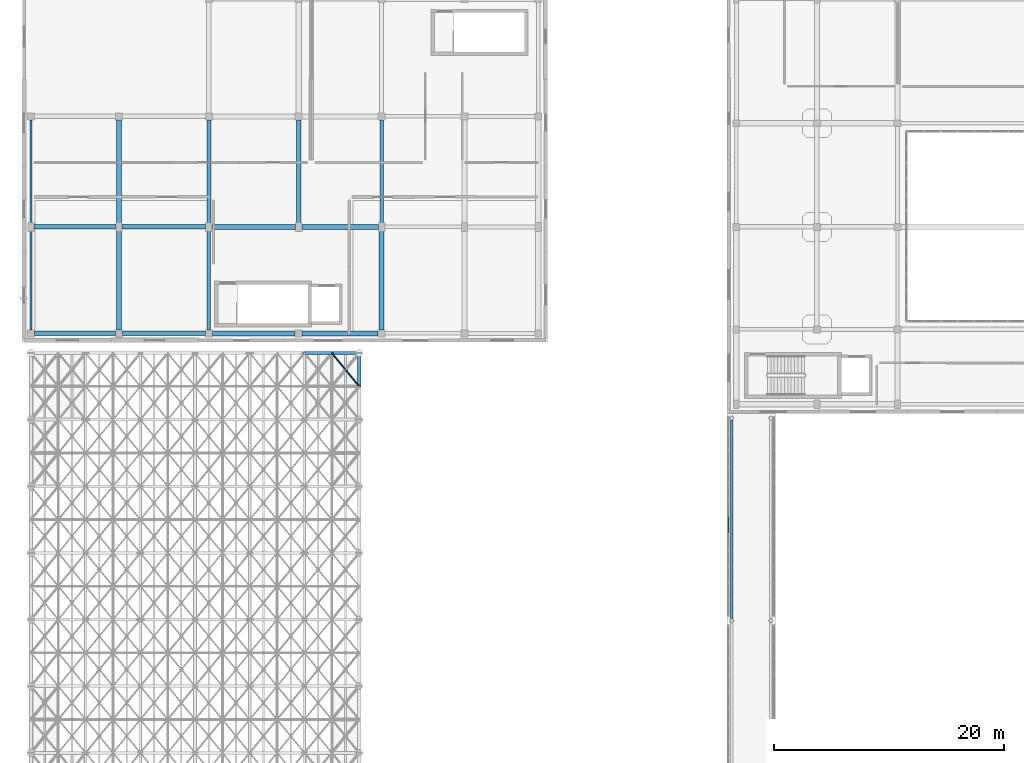
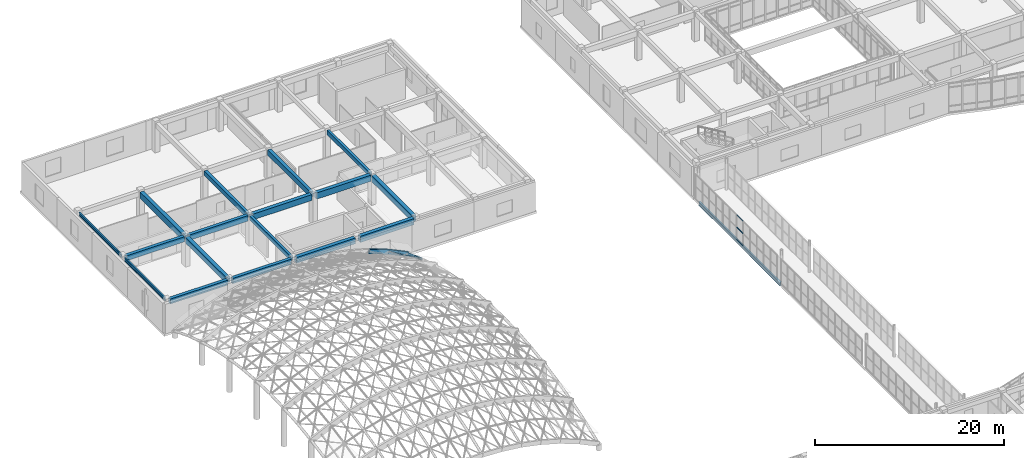
# One storey, part 74 of 146: 20 beams, 6 members, 1 element without a shape of its own.
"""IFC4 building model written with IfcOpenShell, lengths in metres."""

from ifc_helpers import new_model, si_unit, direction, frame, origin, origin_2d, place, context, subcontext, project, spatial, rectangle, hollow_rectangle, hollow_circle, i_section, extrude, material, layer, layer_set, material_profile, profile_set, type_object, element, aggregate, save


model = new_model("IFC4")

# Units and contexts
model_context = context("Model", 3, precision=1e-05, world=origin(), true_north=direction((0.0, 1.0)))
body_context = subcontext(model_context, "Body", "Model", "MODEL_VIEW")
ifc_project = project(units=[si_unit("LENGTHUNIT", "METRE"), si_unit("AREAUNIT", "SQUARE_METRE"), si_unit("VOLUMEUNIT", "CUBIC_METRE"), si_unit("PLANEANGLEUNIT", "RADIAN"), si_unit("MASSUNIT", "GRAM", prefix="KILO")], contexts=[model_context])

# Site, building, storey
site_placement = place(None, origin())
site = spatial("IfcSite", under=ifc_project, at=site_placement, CompositionType="ELEMENT")
building_placement = place(site_placement, origin())
building = spatial("IfcBuilding", under=site, at=building_placement, Name="Valcora Specialist Clinic", CompositionType="ELEMENT")
storey_placement = place(building_placement, frame((0.0, 0.0, 9.52001953125)))
storey = spatial("IfcBuildingStorey", under=building, at=storey_placement, Name="L02", CompositionType="ELEMENT", Elevation=9.52001953125)

# Beams
ifc_material_1 = material(Name="Glulam Conifer Class 24F", Category="wood")
ifc_material_profile_1 = material_profile(ifc_material_1, rectangle(XDim=0.219970703125, YDim=0.56005859375, at=origin_2d()), Name="GL-ARC-220X560")
ifc_profile_set_1 = profile_set([ifc_material_profile_1], Name="Glulam Conifer Class 24F")
beam_type_1 = type_object("IfcBeamType", Name="TY-AR-GL560", PredefinedType="JOIST", material=ifc_profile_set_1)
beam_1_placement = place(storey_placement, frame((24.5, 79.25, 2.76806640625), z_axis=(0.935695204238, 0.0, -0.352809417059), x_axis=(0.0, 1.0, 0.0)))
element("IfcBeam", 1, at=beam_1_placement, inside=storey, type_object=beam_type_1, Name="Gridshell glulam arch chord BM-GSA-095", PredefinedType="JOIST", context=body_context, shape_type="SweptSolid", body=[
    extrude(rectangle(XDim=0.219970703125, YDim=0.56005859375, at=origin_2d()), origin(), (0.0, 0.0, 1.0), 2.538330078125),
])
beam_2_placement = place(storey_placement, frame((26.875, 79.25, 1.87255859375), z_axis=(0.902189145818, 0.0, -0.431340637048), x_axis=(0.0, 1.0, 0.0)))
element("IfcBeam", 2, at=beam_2_placement, inside=storey, type_object=beam_type_1, Name="Gridshell glulam arch chord BM-GSA-096", PredefinedType="JOIST", context=body_context, shape_type="SweptSolid", body=[
    extrude(rectangle(XDim=0.219970703125, YDim=0.56005859375, at=origin_2d()), origin(), (0.0, 0.0, 1.0), 2.632568359375),
])
ifc_material_2 = material(Name="Steel ASTM A992 Grade 50", Category="steel")
ifc_material_profile_2 = material_profile(ifc_material_2, i_section(OverallWidth=0.18994140625, OverallDepth=0.45703125, WebThickness=0.009033203125, FlangeThickness=0.014892578125, at=origin_2d()), Name="ST-IR-460X190")
ifc_profile_set_2 = profile_set([ifc_material_profile_2], Name="Steel ASTM A992 Grade 50")
beam_type_2 = type_object("IfcBeamType", Name="TY-BG-IR460", PredefinedType="HOLLOWCORE", material=ifc_profile_set_2)
beam_3_placement = place(storey_placement, frame((61.60009765625, 56.159912109375, -0.482421875), z_axis=(0.0, 1.0, 0.0), x_axis=(-1.0, 0.0, 0.0)))
element("IfcBeam", 3, at=beam_3_placement, inside=storey, type_object=beam_type_2, Name="Bridge girder BM-L02-1626", PredefinedType="HOLLOWCORE", context=body_context, shape_type="SweptSolid", body=[
    extrude(i_section(OverallWidth=0.18994140625, OverallDepth=0.45703125, WebThickness=0.009033203125, FlangeThickness=0.014892578125, at=origin_2d()), origin(), (0.0, 0.0, 1.0), 17.280029296875),
])
ifc_material_profile_3 = material_profile(ifc_material_2, i_section(OverallWidth=0.177978515625, OverallDepth=0.406005859375, WebThickness=0.008056640625, FlangeThickness=0.012939453125, at=origin_2d()), Name="ST-IR-410X180")
ifc_profile_set_3 = profile_set([ifc_material_profile_3], Name="Steel ASTM A992 Grade 50")
beam_type_3 = type_object("IfcBeamType", Name="TY-BM-IR410", PredefinedType="SPANDREL", material=ifc_profile_set_3)
beam_4_placement = place(storey_placement, frame((0.75, 81.25, 3.635986328125), z_axis=(0.0, 1.0, 0.0), x_axis=(-1.0, 0.0, 0.0)))
element("IfcBeam", 4, at=beam_4_placement, inside=storey, type_object=beam_type_3, Name="Beam BM-L02-0355", PredefinedType="SPANDREL", context=body_context, shape_type="SweptSolid", body=[
    extrude(i_section(OverallWidth=0.177978515625, OverallDepth=0.406005859375, WebThickness=0.008056640625, FlangeThickness=0.012939453125, at=origin_2d()), origin(), (0.0, 0.0, 1.0), 8.675048828125),
])
beam_5_placement = place(storey_placement, frame((0.75, 90.47509765625, 3.635986328125), z_axis=(0.0, 1.0, 0.0), x_axis=(-1.0, 0.0, 0.0)))
element("IfcBeam", 5, at=beam_5_placement, inside=storey, type_object=beam_type_3, Name="Beam BM-L02-0356", PredefinedType="SPANDREL", context=body_context, shape_type="SweptSolid", body=[
    extrude(i_section(OverallWidth=0.177978515625, OverallDepth=0.406005859375, WebThickness=0.008056640625, FlangeThickness=0.012939453125, at=origin_2d()), origin(), (0.0, 0.0, 1.0), 9.02490234375),
])
ifc_material_3 = material(Name="Concrete C40/50", Category="concrete")
ifc_material_profile_4 = material_profile(ifc_material_3, rectangle(XDim=0.300048828125, YDim=0.550048828125, at=origin_2d()), Name="RC-BM-300X550")
ifc_profile_set_4 = profile_set([ifc_material_profile_4], Name="Concrete C40/50")
beam_type_4 = type_object("IfcBeamType", Name="TY-BM-RC300X550", PredefinedType="BEAM", material=ifc_profile_set_4)
beam_6_placement = place(storey_placement, frame((16.199951171875, 81.25, 3.56787109375), z_axis=(0.0, 1.0, 0.0), x_axis=(-1.0, 0.0, 0.0)))
element("IfcBeam", 6, at=beam_6_placement, inside=storey, type_object=beam_type_4, Name="Beam BM-L02-0359", PredefinedType="BEAM", context=body_context, shape_type="SweptSolid", body=[
    extrude(rectangle(XDim=0.300048828125, YDim=0.550048828125, at=origin_2d()), origin(), (0.0, 0.0, 1.0), 8.675048828125),
])
beam_7_placement = place(storey_placement, frame((31.199951171875, 90.47509765625, 3.56787109375), z_axis=(0.0, 1.0, 0.0), x_axis=(-1.0, 0.0, 0.0)))
element("IfcBeam", 7, at=beam_7_placement, inside=storey, type_object=beam_type_4, Name="Beam BM-L02-0365", PredefinedType="BEAM", context=body_context, shape_type="SweptSolid", body=[
    extrude(rectangle(XDim=0.300048828125, YDim=0.550048828125, at=origin_2d()), origin(), (0.0, 0.0, 1.0), 9.02490234375),
])
ifc_material_profile_5 = material_profile(ifc_material_3, rectangle(XDim=0.35009765625, YDim=0.60009765625, at=origin_2d()), Name="RC-BM-350X600")
ifc_profile_set_5 = profile_set([ifc_material_profile_5], Name="Concrete C40/50")
beam_type_5 = type_object("IfcBeamType", Name="TY-BM-RC350X600", PredefinedType="BEAM", material=ifc_profile_set_5)
beam_8_placement = place(storey_placement, frame((16.199951171875, 90.47509765625, 3.54296875), z_axis=(0.0, 1.0, 0.0), x_axis=(-1.0, 0.0, 0.0)))
element("IfcBeam", 8, at=beam_8_placement, inside=storey, type_object=beam_type_5, Name="Beam BM-L02-0360", PredefinedType="BEAM", context=body_context, shape_type="SweptSolid", body=[
    extrude(rectangle(XDim=0.35009765625, YDim=0.60009765625, at=origin_2d()), origin(), (0.0, 0.0, 1.0), 9.02490234375),
])
ifc_material_profile_6 = material_profile(ifc_material_3, rectangle(XDim=0.39990234375, YDim=0.64990234375, at=origin_2d()), Name="RC-BM-400X650")
ifc_profile_set_6 = profile_set([ifc_material_profile_6], Name="Concrete C40/50")
beam_type_6 = type_object("IfcBeamType", Name="TY-BM-RC400X650", PredefinedType="BEAM", material=ifc_profile_set_6)
beam_9_placement = place(storey_placement, frame((1.050048828125, 80.949951171875, 3.51806640625), z_axis=(1.0, 0.0, 0.0), x_axis=(0.0, 1.0, 0.0)))
element("IfcBeam", 9, at=beam_9_placement, inside=storey, type_object=beam_type_6, Name="Beam BM-L02-0333", PredefinedType="BEAM", context=body_context, shape_type="SweptSolid", body=[
    extrude(rectangle(XDim=0.39990234375, YDim=0.64990234375, at=origin_2d()), origin(), (0.0, 0.0, 1.0), 7.050048828125),
])
beam_10_placement = place(storey_placement, frame((1.02490234375, 90.199951171875, 3.51806640625), z_axis=(1.0, 0.0, 0.0), x_axis=(0.0, 1.0, 0.0)))
element("IfcBeam", 10, at=beam_10_placement, inside=storey, type_object=beam_type_6, Name="Beam BM-L02-0339", PredefinedType="BEAM", context=body_context, shape_type="SweptSolid", body=[
    extrude(rectangle(XDim=0.39990234375, YDim=0.64990234375, at=origin_2d()), origin(), (0.0, 0.0, 1.0), 7.10009765625),
])
ifc_material_profile_7 = material_profile(ifc_material_3, rectangle(XDim=0.39990234375, YDim=0.699951171875, at=origin_2d()), Name="RC-BM-400X700")
ifc_profile_set_7 = profile_set([ifc_material_profile_7], Name="Concrete C40/50")
beam_type_7 = type_object("IfcBeamType", Name="TY-BM-RC400X700", PredefinedType="BEAM", material=ifc_profile_set_7)
beam_11_placement = place(storey_placement, frame((8.699951171875, 80.949951171875, 3.492919921875), z_axis=(1.0, 0.0, 0.0), x_axis=(0.0, 1.0, 0.0)))
element("IfcBeam", 11, at=beam_11_placement, inside=storey, type_object=beam_type_7, Name="Beam BM-L02-0334", PredefinedType="BEAM", context=body_context, shape_type="SweptSolid", body=[
    extrude(rectangle(XDim=0.39990234375, YDim=0.699951171875, at=origin_2d()), origin(), (0.0, 0.0, 1.0), 7.199951171875),
])
beam_12_placement = place(storey_placement, frame((8.675048828125, 90.199951171875, 3.492919921875), z_axis=(1.0, 0.0, 0.0), x_axis=(0.0, 1.0, 0.0)))
element("IfcBeam", 12, at=beam_12_placement, inside=storey, type_object=beam_type_7, Name="Beam BM-L02-0340", PredefinedType="BEAM", context=body_context, shape_type="SweptSolid", body=[
    extrude(rectangle(XDim=0.39990234375, YDim=0.699951171875, at=origin_2d()), origin(), (0.0, 0.0, 1.0), 7.25),
])
beam_13_placement = place(storey_placement, frame((24.0, 90.47509765625, 3.492919921875), z_axis=(0.0, 1.0, 0.0), x_axis=(-1.0, 0.0, 0.0)))
element("IfcBeam", 13, at=beam_13_placement, inside=storey, type_object=beam_type_7, Name="Beam BM-L02-0362", PredefinedType="BEAM", context=body_context, shape_type="SweptSolid", body=[
    extrude(rectangle(XDim=0.39990234375, YDim=0.699951171875, at=origin_2d()), origin(), (0.0, 0.0, 1.0), 9.02490234375),
])
ifc_material_profile_8 = material_profile(ifc_material_3, rectangle(XDim=0.449951171875, YDim=0.75, at=origin_2d()), Name="RC-BM-450X750")
ifc_profile_set_8 = profile_set([ifc_material_profile_8], Name="Concrete C40/50")
beam_type_8 = type_object("IfcBeamType", Name="TY-BM-RC450X750", PredefinedType="BEAM", material=ifc_profile_set_8)
beam_14_placement = place(storey_placement, frame((16.5, 80.949951171875, 3.468017578125), z_axis=(1.0, 0.0, 0.0), x_axis=(0.0, 1.0, 0.0)))
element("IfcBeam", 14, at=beam_14_placement, inside=storey, type_object=beam_type_8, Name="Beam BM-L02-0335", PredefinedType="BEAM", context=body_context, shape_type="SweptSolid", body=[
    extrude(rectangle(XDim=0.449951171875, YDim=0.75, at=origin_2d()), origin(), (0.0, 0.0, 1.0), 7.199951171875),
])
beam_15_placement = place(storey_placement, frame((16.47509765625, 90.199951171875, 3.468017578125), z_axis=(1.0, 0.0, 0.0), x_axis=(0.0, 1.0, 0.0)))
element("IfcBeam", 15, at=beam_15_placement, inside=storey, type_object=beam_type_8, Name="Beam BM-L02-0341", PredefinedType="BEAM", context=body_context, shape_type="SweptSolid", body=[
    extrude(rectangle(XDim=0.449951171875, YDim=0.75, at=origin_2d()), origin(), (0.0, 0.0, 1.0), 7.25),
])
beam_16_placement = place(storey_placement, frame((8.39990234375, 81.25, 3.468017578125), z_axis=(0.0, 1.0, 0.0), x_axis=(-1.0, 0.0, 0.0)))
element("IfcBeam", 16, at=beam_16_placement, inside=storey, type_object=beam_type_8, Name="Beam BM-L02-0357", PredefinedType="BEAM", context=body_context, shape_type="SweptSolid", body=[
    extrude(rectangle(XDim=0.449951171875, YDim=0.75, at=origin_2d()), origin(), (0.0, 0.0, 1.0), 8.675048828125),
])
ifc_material_profile_9 = material_profile(ifc_material_3, rectangle(XDim=0.449951171875, YDim=0.800048828125, at=origin_2d()), Name="RC-BM-450X800")
ifc_profile_set_9 = profile_set([ifc_material_profile_9], Name="Concrete C40/50")
beam_type_9 = type_object("IfcBeamType", Name="TY-BM-RC450X800", PredefinedType="BEAM", material=ifc_profile_set_9)
beam_17_placement = place(storey_placement, frame((24.300048828125, 80.949951171875, 3.44287109375), z_axis=(1.0, 0.0, 0.0), x_axis=(0.0, 1.0, 0.0)))
element("IfcBeam", 17, at=beam_17_placement, inside=storey, type_object=beam_type_9, Name="Beam BM-L02-0336", PredefinedType="BEAM", context=body_context, shape_type="SweptSolid", body=[
    extrude(rectangle(XDim=0.449951171875, YDim=0.800048828125, at=origin_2d()), origin(), (0.0, 0.0, 1.0), 6.599853515625),
])
beam_18_placement = place(storey_placement, frame((24.27490234375, 90.199951171875, 3.44287109375), z_axis=(1.0, 0.0, 0.0), x_axis=(0.0, 1.0, 0.0)))
element("IfcBeam", 18, at=beam_18_placement, inside=storey, type_object=beam_type_9, Name="Beam BM-L02-0342", PredefinedType="BEAM", context=body_context, shape_type="SweptSolid", body=[
    extrude(rectangle(XDim=0.449951171875, YDim=0.800048828125, at=origin_2d()), origin(), (0.0, 0.0, 1.0), 6.650146484375),
])
beam_19_placement = place(storey_placement, frame((8.39990234375, 90.47509765625, 3.44287109375), z_axis=(0.0, 1.0, 0.0), x_axis=(-1.0, 0.0, 0.0)))
element("IfcBeam", 19, at=beam_19_placement, inside=storey, type_object=beam_type_9, Name="Beam BM-L02-0358", PredefinedType="BEAM", context=body_context, shape_type="SweptSolid", body=[
    extrude(rectangle(XDim=0.449951171875, YDim=0.800048828125, at=origin_2d()), origin(), (0.0, 0.0, 1.0), 9.02490234375),
])
beam_20_placement = place(storey_placement, frame((31.199951171875, 81.25, 3.44287109375), z_axis=(0.0, 1.0, 0.0), x_axis=(-1.0, 0.0, 0.0)))
element("IfcBeam", 20, at=beam_20_placement, inside=storey, type_object=beam_type_9, Name="Beam BM-L02-0364", PredefinedType="BEAM", context=body_context, shape_type="SweptSolid", body=[
    extrude(rectangle(XDim=0.449951171875, YDim=0.800048828125, at=origin_2d()), origin(), (0.0, 0.0, 1.0), 8.675048828125),
])

# Curtain wall, members
ifc_material_4 = material(Name="Anodized Bronze Aluminium 6063-T6", Category="aluminium")
ifc_layer = layer(ifc_material_4, 0.175048828125)
ifc_layer_set = layer_set([ifc_layer], Name="Anodized Bronze Aluminium 6063-T6")
curtain_wall_type = type_object("IfcCurtainWallType", Name="TY-CW-BRG14", PredefinedType="NOTDEFINED", material=ifc_layer_set)
curtain_wall_placement = place(storey_placement, origin())
curtain_wall = element("IfcCurtainWall", 21, at=curtain_wall_placement, inside=storey, type_object=curtain_wall_type, Name="Curtain wall CW-L02-256", PredefinedType="NOTDEFINED")
ifc_material_profile_10 = material_profile(ifc_material_4, hollow_rectangle(XDim=0.06494140625, YDim=0.1298828125, WallThickness=0.00390625, at=origin_2d()), Name="AL-TRN-65X130")
ifc_profile_set_10 = profile_set([ifc_material_profile_10], Name="Anodized Bronze Aluminium 6063-T6")
member_type_1 = type_object("IfcMemberType", Name="TY-CWT-65X130", PredefinedType="USERDEFINED", material=ifc_profile_set_10)
member_1_placement = place(storey_placement, frame((61.320068359375, 63.640869140625, 0.032470703125), z_axis=(0.0, 1.0, 0.0), x_axis=(-1.0, 0.0, 0.0)))
member_1 = element("IfcMember", 22, at=member_1_placement, type_object=member_type_1, Name="CW-BRG-14 transom 2.1", ObjectType="TRANSOM", PredefinedType="USERDEFINED", context=body_context, shape_type="SweptSolid", body=[
    extrude(hollow_rectangle(XDim=0.06494140625, YDim=0.1298828125, WallThickness=0.00390625, at=origin_2d()), origin(), (0.0, 0.0, 1.0), 1.376708984375),
])
member_2_placement = place(storey_placement, frame((61.320068359375, 63.640869140625, 1.619873046875), z_axis=(0.0, 1.0, 0.0), x_axis=(-1.0, 0.0, 0.0)))
member_2 = element("IfcMember", 23, at=member_2_placement, type_object=member_type_1, Name="CW-BRG-14 transom 2.2", ObjectType="TRANSOM", PredefinedType="USERDEFINED", context=body_context, shape_type="SweptSolid", body=[
    extrude(hollow_rectangle(XDim=0.06494140625, YDim=0.1298828125, WallThickness=0.00390625, at=origin_2d()), origin(), (0.0, 0.0, 1.0), 1.376708984375),
])
member_3_placement = place(storey_placement, frame((61.320068359375, 63.640869140625, 3.20751953125), z_axis=(0.0, 1.0, 0.0), x_axis=(-1.0, 0.0, 0.0)))
member_3 = element("IfcMember", 24, at=member_3_placement, type_object=member_type_1, Name="CW-BRG-14 transom 2.3", ObjectType="TRANSOM", PredefinedType="USERDEFINED", context=body_context, shape_type="SweptSolid", body=[
    extrude(hollow_rectangle(XDim=0.06494140625, YDim=0.1298828125, WallThickness=0.00390625, at=origin_2d()), origin(), (0.0, 0.0, 1.0), 1.376708984375),
])
aggregate(curtain_wall, [member_1, member_2, member_3])

# Members
ifc_material_5 = material(Name="Steel ASTM A500 Grade C", Category="steel")
ifc_material_profile_11 = material_profile(ifc_material_5, hollow_circle(Radius=0.162109375, WallThickness=0.011962890625, at=origin_2d()), Name="ST-CHS-324X12")
ifc_profile_set_11 = profile_set([ifc_material_profile_11], Name="Steel ASTM A500 Grade C")
member_type_2 = type_object("IfcMemberType", Name="TY-MB-GSC324", PredefinedType="CHORD", material=ifc_profile_set_11)
member_4_placement = place(storey_placement, frame((29.25, 76.35693359375, 1.85986328125), z_axis=(0.0, 0.932252488717, -0.361808370938), x_axis=(-1.0, 0.0, 0.0)))
element("IfcMember", 25, at=member_4_placement, inside=storey, type_object=member_type_2, Name="Gridshell longitudinal chord MB-L02-0182", PredefinedType="CHORD", context=body_context, shape_type="SweptSolid", body=[
    extrude(hollow_circle(Radius=0.162109375, WallThickness=0.011962890625, at=origin_2d()), origin(), (0.0, 0.0, 1.0), 3.103271484375),
])
ifc_material_profile_12 = material_profile(ifc_material_5, hollow_circle(Radius=0.070068359375, WallThickness=0.006103515625, at=origin_2d()), Name="ST-CHS-140X6")
ifc_profile_set_12 = profile_set([ifc_material_profile_12], Name="Steel ASTM A500 Grade C")
member_type_3 = type_object("IfcMemberType", Name="TY-MB-GSD140", PredefinedType="BRACE", material=ifc_profile_set_12)
for number, where, z_axis, x_axis, name in (
    (26, (29.25, 76.35693359375, 1.85986328125), (-0.634504850086, 0.772911438479, 0.003391678886), (-0.772915884105, -0.634508499626, 0.0), "Gridshell split counter diagrid A MB-L02-0686"),
    (27, (28.0625, 77.803466796875, 1.8662109375), (-0.634504850086, 0.772911438479, 0.003391678886), (-0.772915884105, -0.634508499626, 0.0), "Gridshell split counter diagrid B 168"),
):
    element("IfcMember", number, at=place(storey_placement, frame(where, z_axis=z_axis, x_axis=x_axis)), inside=storey, type_object=member_type_3, Name=name, PredefinedType="BRACE", context=body_context, shape_type="SweptSolid", body=[
        extrude(hollow_circle(Radius=0.070068359375, WallThickness=0.006103515625, at=origin_2d()), origin(), (0.0, 0.0, 1.0), 1.87158203125),
    ])

save(model, "model.ifc")
